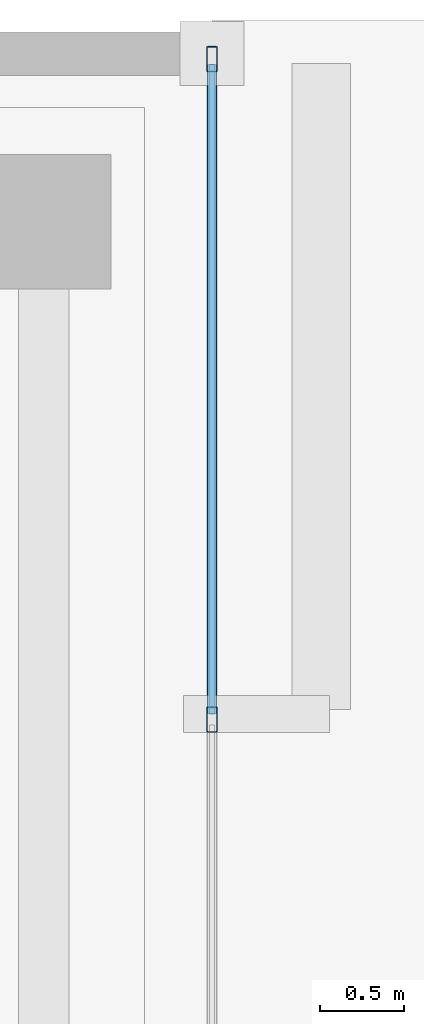
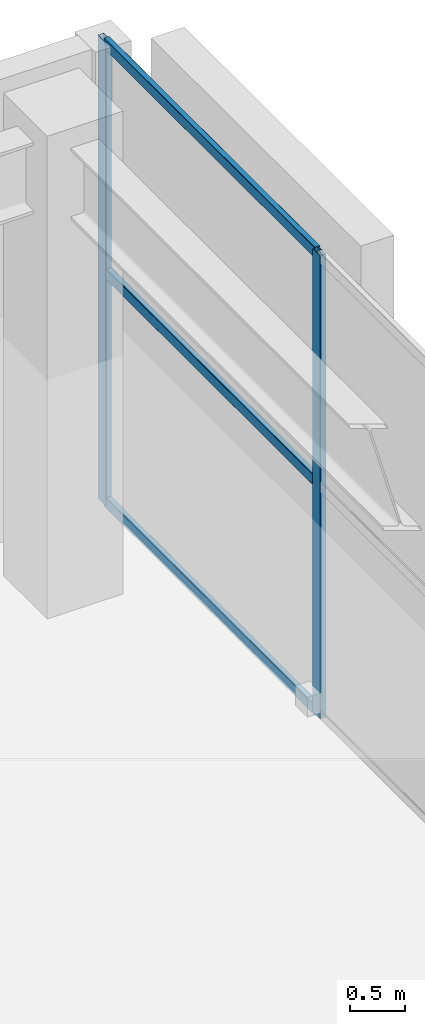
# One storey, part 4 of 16: 5 members, 1 element without a shape of its own.
"""IFC4 building model written with IfcOpenShell, lengths in metres."""

from ifc_helpers import new_model, si_unit, direction, frame, origin, origin_2d, place, context, subcontext, project, spatial, hollow_rectangle, extrude, material, layer, layer_set, material_profile, profile_set, type_object, element, aggregate, save


model = new_model("IFC4")

# Units and contexts
model_context = context("Model", 3, precision=1e-05, world=origin(), true_north=direction((0.0, 1.0)))
body_context = subcontext(model_context, "Body", "Model", "MODEL_VIEW")
ifc_project = project(units=[si_unit("LENGTHUNIT", "METRE"), si_unit("AREAUNIT", "SQUARE_METRE"), si_unit("VOLUMEUNIT", "CUBIC_METRE"), si_unit("PLANEANGLEUNIT", "RADIAN"), si_unit("MASSUNIT", "GRAM", prefix="KILO")], contexts=[model_context])

# Site, building, storey
site_placement = place(None, origin())
site = spatial("IfcSite", under=ifc_project, at=site_placement, CompositionType="ELEMENT")
building_placement = place(site_placement, origin())
building = spatial("IfcBuilding", under=site, at=building_placement, Name="An Khanh Terracotta Commons", CompositionType="ELEMENT")
storey_placement = place(building_placement, origin())
storey = spatial("IfcBuildingStorey", under=building, at=storey_placement, Name="L01", CompositionType="ELEMENT", Elevation=0.0)

# Curtain wall, members
ifc_material = material(Name="Anodised Aluminium 6063-T6", Category="aluminium")
ifc_layer = layer(ifc_material, 0.179931640625, Name="Anodised Aluminium 6063-T6")
ifc_layer_set = layer_set([ifc_layer], Name="Anodised Aluminium 6063-T6")
curtain_wall_type = type_object("IfcCurtainWallType", Name="CW-SYS-01", PredefinedType="USERDEFINED", material=ifc_layer_set)
curtain_wall_placement = place(storey_placement, origin())
curtain_wall = element("IfcCurtainWall", 1, at=curtain_wall_placement, inside=storey, type_object=curtain_wall_type, Name="L01 CW-01 Unitised Curtain Wall CW-L01-EAST", ObjectType="UNITISED CURTAIN WALL", PredefinedType="USERDEFINED")
ifc_material_profile_1 = material_profile(ifc_material, hollow_rectangle(XDim=0.06494140625, YDim=0.14990234375, WallThickness=0.00390625, InnerFilletRadius=0.00390625, OuterFilletRadius=0.008056640625, at=origin_2d()), Name="RHS150x65x4")
ifc_profile_set_1 = profile_set([ifc_material_profile_1], Name="Anodised Aluminium 6063-T6")
member_type_1 = type_object("IfcMemberType", Name="CWM-RHS150x65x4", PredefinedType="MULLION", material=ifc_profile_set_1)
member_1_placement = place(storey_placement, frame((73.800048828125, 43.840087890625, 0.0), z_axis=(0.0, 0.0, 1.0), x_axis=(-1.0, 0.0, 0.0)))
member_1 = element("IfcMember", 2, at=member_1_placement, type_object=member_type_1, Name="CW-01 mullion 5", PredefinedType="MULLION", context=body_context, shape_type="SweptSolid", body=[
    extrude(hollow_rectangle(XDim=0.06494140625, YDim=0.14990234375, WallThickness=0.00390625, InnerFilletRadius=0.00390625, OuterFilletRadius=0.008056640625, at=origin_2d()), origin(), (0.0, 0.0, 1.0), 5.179931640625),
])
member_2_placement = place(storey_placement, frame((73.800048828125, 47.767578125, 0.0), z_axis=(0.0, 0.0, 1.0), x_axis=(-1.0, 0.0, 0.0)))
member_2 = element("IfcMember", 3, at=member_2_placement, type_object=member_type_1, Name="CW-01 mullion 6", PredefinedType="MULLION", context=body_context, shape_type="SweptSolid", body=[
    extrude(hollow_rectangle(XDim=0.06494140625, YDim=0.14990234375, WallThickness=0.00390625, InnerFilletRadius=0.00390625, OuterFilletRadius=0.008056640625, at=origin_2d()), origin(), (0.0, 0.0, 1.0), 5.179931640625),
])
ifc_material_profile_2 = material_profile(ifc_material, hollow_rectangle(XDim=0.06005859375, YDim=0.1201171875, WallThickness=0.003662109375, InnerFilletRadius=0.003662109375, OuterFilletRadius=0.007080078125, at=origin_2d()), Name="RHS120x60x3.6")
ifc_profile_set_2 = profile_set([ifc_material_profile_2], Name="Anodised Aluminium 6063-T6")
member_type_2 = type_object("IfcMemberType", Name="CWT-RHS120x60x3.6", PredefinedType="USERDEFINED", material=ifc_profile_set_2)
member_3_placement = place(storey_placement, frame((73.800048828125, 43.87255859375, 0.030029296875), z_axis=(0.0, 1.0, 0.0), x_axis=(-1.0, 0.0, 0.0)))
member_3 = element("IfcMember", 4, at=member_3_placement, type_object=member_type_2, Name="CW-01 transom 5.1", ObjectType="TRANSOM", PredefinedType="USERDEFINED", context=body_context, shape_type="SweptSolid", body=[
    extrude(hollow_rectangle(XDim=0.06005859375, YDim=0.1201171875, WallThickness=0.003662109375, InnerFilletRadius=0.003662109375, OuterFilletRadius=0.007080078125, at=origin_2d()), origin(), (0.0, 0.0, 1.0), 3.862548828125),
])
member_4_placement = place(storey_placement, frame((73.800048828125, 43.87255859375, 2.590087890625), z_axis=(0.0, 1.0, 0.0), x_axis=(-1.0, 0.0, 0.0)))
member_4 = element("IfcMember", 5, at=member_4_placement, type_object=member_type_2, Name="CW-01 transom 5.2", ObjectType="TRANSOM", PredefinedType="USERDEFINED", context=body_context, shape_type="SweptSolid", body=[
    extrude(hollow_rectangle(XDim=0.06005859375, YDim=0.1201171875, WallThickness=0.003662109375, InnerFilletRadius=0.003662109375, OuterFilletRadius=0.007080078125, at=origin_2d()), origin(), (0.0, 0.0, 1.0), 3.862548828125),
])
member_5_placement = place(storey_placement, frame((73.800048828125, 43.87255859375, 5.14990234375), z_axis=(0.0, 1.0, 0.0), x_axis=(-1.0, 0.0, 0.0)))
member_5 = element("IfcMember", 6, at=member_5_placement, type_object=member_type_2, Name="CW-01 transom 5.3", ObjectType="TRANSOM", PredefinedType="USERDEFINED", context=body_context, shape_type="SweptSolid", body=[
    extrude(hollow_rectangle(XDim=0.06005859375, YDim=0.1201171875, WallThickness=0.003662109375, InnerFilletRadius=0.003662109375, OuterFilletRadius=0.007080078125, at=origin_2d()), origin(), (0.0, 0.0, 1.0), 3.862548828125),
])
aggregate(curtain_wall, [member_1, member_2, member_3, member_4, member_5])

save(model, "model.ifc")
